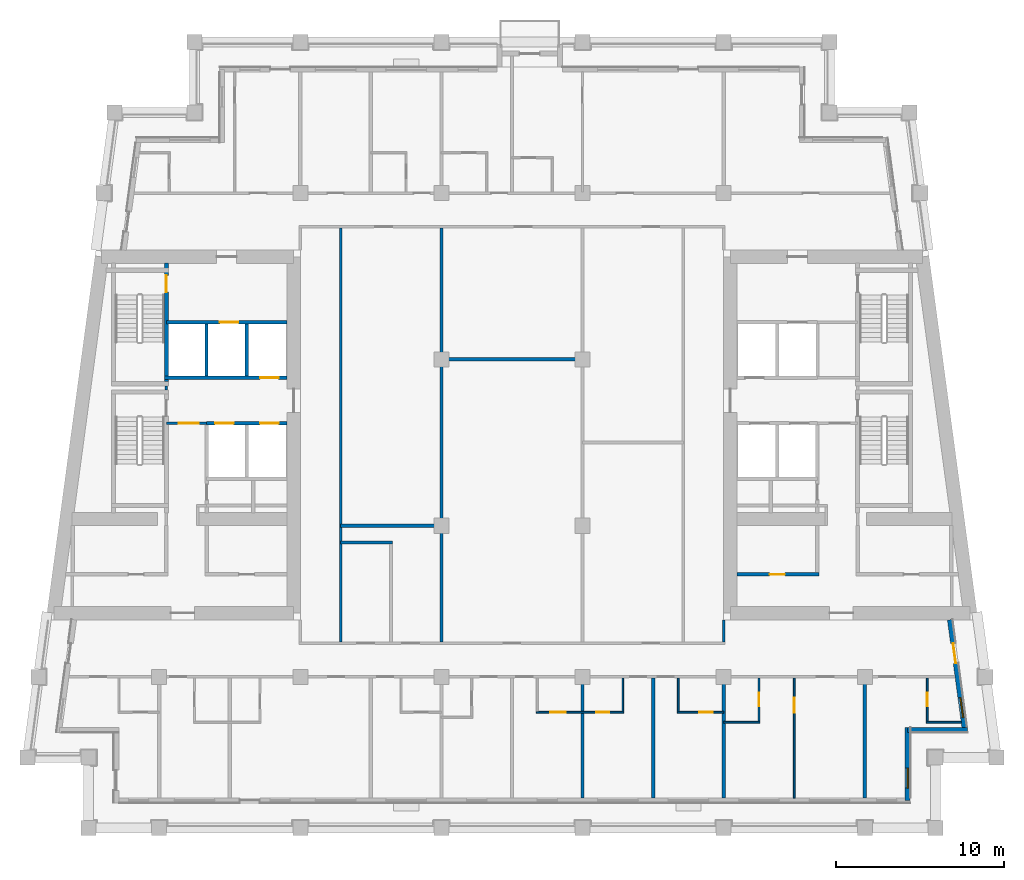
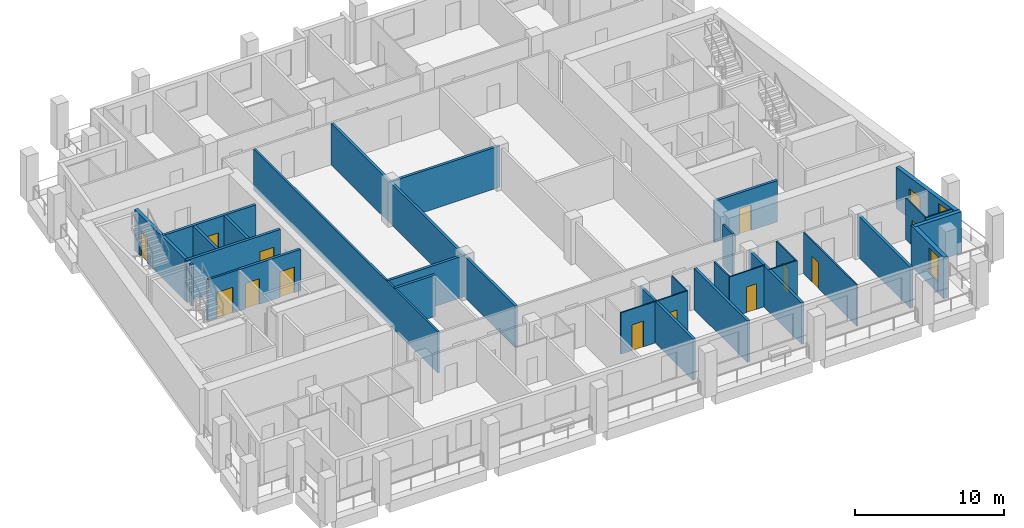
# One storey, part 4 of 12: 31 walls, 14 doors, 2 windows, 16 openings.
"""IFC4 building model written with IfcOpenShell, lengths in metres."""

from ifc_helpers import new_model, si_unit, direction, frame, frame_2d, origin, place, context, subcontext, project, spatial, rectangle, extrude, material, layer, layer_set, type_object, element, fill, save


model = new_model("IFC4")

# Units and contexts
model_context = context("Model", 3, precision=1e-05, world=origin(), true_north=direction((0.0, 1.0)))
body_context = subcontext(model_context, "Body", "Model", "MODEL_VIEW")
ifc_project = project(units=[si_unit("LENGTHUNIT", "METRE"), si_unit("AREAUNIT", "SQUARE_METRE"), si_unit("VOLUMEUNIT", "CUBIC_METRE"), si_unit("PLANEANGLEUNIT", "RADIAN"), si_unit("MASSUNIT", "GRAM", prefix="KILO")], contexts=[model_context])

# Site, building, storey
site_placement = place(None, origin())
site = spatial("IfcSite", under=ifc_project, at=site_placement, CompositionType="ELEMENT")
building_placement = place(site_placement, origin())
building = spatial("IfcBuilding", under=site, at=building_placement, Name="Candeia Pilgrim Tower and Theatre", CompositionType="ELEMENT")
storey_placement = place(building_placement, frame((0.0, 0.0, 213.300048828125)))
storey = spatial("IfcBuildingStorey", under=building, at=storey_placement, Name="L51", CompositionType="ELEMENT", Elevation=213.300048828125)

# Wall, opening, window
ifc_material_1 = material(Name="Ceramic block masonry", Category="masonry")
ifc_layer_1 = layer(ifc_material_1, 0.300048828125)
ifc_layer_set_1 = layer_set([ifc_layer_1], Name="EW1 glazing-line wall 300")
wall_type_1 = type_object("IfcWallType", Name="EW1 glazing-line wall 300", PredefinedType="SOLIDWALL", material=ifc_layer_set_1)
wall_1_placement = place(storey_placement, frame((136.949951171875, 99.64990234375, 0.0), z_axis=(0.0, 0.0, 1.0), x_axis=(0.0, 1.0, 0.0)))
wall_1 = element("IfcWall", 1, at=wall_1_placement, inside=storey, type_object=wall_type_1, Name="External wall L51-1.0", PredefinedType="SOLIDWALL", context=body_context, shape_type="SweptSolid", body=[
    extrude(rectangle(XDim=4.35009765625, YDim=0.300048828125, at=frame_2d((2.175048828125, 0.0))), origin(), (0.0, 0.0, 1.0), 3.3798828125),
])
opening_1_placement = place(wall_1_placement, frame((0.72509765625, 0.0, 0.89990234375)))
opening_1 = element("IfcOpeningElement", 2, at=opening_1_placement, cuts=wall_1, Name="Opening W-B", PredefinedType="OPENING", context=body_context, shape_type="SweptSolid", body=[
    extrude(rectangle(XDim=1.199951171875, YDim=2.10009765625, at=frame_2d((0.60009765625, 1.050048828125))), frame((0.0, 0.16015625, 0.0), z_axis=(0.0, -1.0, 0.0), x_axis=(1.0, 0.0, 0.0)), (0.0, 0.0, 1.0), 0.320068359375),
])
ifc_material_2 = material(Name="Aluminium framed double glazing", Category="aluminium")
window_type = type_object("IfcWindowType", Name="W-B window 1200x2100", PartitioningType="SINGLE_PANEL", PredefinedType="WINDOW", material=ifc_material_2)
window_1_placement = place(opening_1_placement, origin())
window_1 = element("IfcWindow", 3, at=window_1_placement, inside=storey, type_object=window_type, Name="Window W-B L51", OverallHeight=2.10009765625, OverallWidth=1.199951171875, PartitioningType="SINGLE_PANEL", PredefinedType="WINDOW", context=body_context, shape_type="SweptSolid", body=[
    extrude(rectangle(XDim=1.199951171875, YDim=2.10009765625, at=frame_2d((0.60009765625, 1.050048828125))), frame((0.0, 0.030029296875, 0.0), z_axis=(0.0, -1.0, 0.0), x_axis=(1.0, 0.0, 0.0)), (0.0, 0.0, 1.0), 0.06005859375),
])
fill(opening_1, window_1)

# Wall
wall_2_placement = place(storey_placement, frame((136.949951171875, 103.85009765625, 0.0), z_axis=(0.0, 0.0, 1.0), x_axis=(1.0, 0.0, 0.0)))
element("IfcWall", 4, at=wall_2_placement, inside=storey, type_object=wall_type_1, Name="External wall L51-2.0", PredefinedType="SOLIDWALL", context=body_context, shape_type="SweptSolid", body=[
    extrude(rectangle(XDim=3.569091796875, YDim=0.300048828125, at=frame_2d((1.78466796875, 0.0))), origin(), (0.0, 0.0, 1.0), 3.3798828125),
])

# Wall, openings, door, window
wall_3_placement = place(storey_placement, frame((140.34765625, 103.85009765625, 0.0), z_axis=(0.0, 0.0, 1.0), x_axis=(-0.133431549479, 0.991058031401, 0.0)))
wall_3 = element("IfcWall", 5, at=wall_3_placement, inside=storey, type_object=wall_type_1, Name="External wall L51-3.0", PredefinedType="SOLIDWALL", context=body_context, shape_type="SweptSolid", body=[
    extrude(rectangle(XDim=6.60888671875, YDim=0.300048828125, at=frame_2d((3.304443359375, 0.0))), origin(), (0.0, 0.0, 1.0), 3.3798828125),
])
opening_2_placement = place(wall_3_placement, frame((0.736572265625, 0.0, 0.89990234375)))
opening_2 = element("IfcOpeningElement", 6, at=opening_2_placement, cuts=wall_3, Name="Opening W-B", PredefinedType="OPENING", context=body_context, shape_type="SweptSolid", body=[
    extrude(rectangle(XDim=1.199951171875, YDim=2.10009765625, at=frame_2d((0.60009765625, 1.050048828125))), frame((0.0, 0.16015625, 0.0), z_axis=(0.0, -1.0, 0.0), x_axis=(1.0, 0.0, 0.0)), (0.0, 0.0, 1.0), 0.320068359375),
])
opening_3_placement = place(wall_3_placement, frame((3.990966796875, 0.0, 0.0)))
opening_3 = element("IfcOpeningElement", 7, at=opening_3_placement, cuts=wall_3, Name="Opening L51-ED484", PredefinedType="OPENING", context=body_context, shape_type="SweptSolid", body=[
    extrude(rectangle(XDim=1.199951171875, YDim=2.39990234375, at=frame_2d((0.60009765625, 1.199951171875))), frame((0.0, 0.16015625, 0.0), z_axis=(0.0, -1.0, 0.0), x_axis=(1.0, 0.0, 0.0)), (0.0, 0.0, 1.0), 0.320068359375),
])
ifc_material_3 = material(Name="Aluminium framed glazed door", Category="aluminium")
door_type_1 = type_object("IfcDoorType", Name="Loggia door 1200x2400", OperationType="DOUBLE_DOOR_SINGLE_SWING", PredefinedType="DOOR", material=ifc_material_3)
door_1_placement = place(opening_3_placement, origin())
door_1 = element("IfcDoor", 8, at=door_1_placement, inside=storey, type_object=door_type_1, Name="Loggia door L51-ED484", OperationType="DOUBLE_DOOR_SINGLE_SWING", OverallHeight=2.39990234375, OverallWidth=1.199951171875, PredefinedType="DOOR", context=body_context, shape_type="SweptSolid", body=[
    extrude(rectangle(XDim=1.199951171875, YDim=2.39990234375, at=frame_2d((0.60009765625, 1.199951171875))), frame((0.0, 0.02490234375, 0.0), z_axis=(0.0, -1.0, 0.0), x_axis=(1.0, 0.0, 0.0)), (0.0, 0.0, 1.0), 0.050048828125),
])
fill(opening_3, door_1)
window_2_placement = place(opening_2_placement, origin())
window_2 = element("IfcWindow", 9, at=window_2_placement, inside=storey, type_object=window_type, Name="Window W-B L51", OverallHeight=2.10009765625, OverallWidth=1.199951171875, PartitioningType="SINGLE_PANEL", PredefinedType="WINDOW", context=body_context, shape_type="SweptSolid", body=[
    extrude(rectangle(XDim=1.199951171875, YDim=2.10009765625, at=frame_2d((0.60009765625, 1.050048828125))), frame((0.0, 0.030029296875, 0.0), z_axis=(0.0, -1.0, 0.0), x_axis=(1.0, 0.0, 0.0)), (0.0, 0.0, 1.0), 0.06005859375),
])
fill(opening_2, window_2)

# Walls
ifc_material_4 = material(Name="Gypsum board partition on steel studs", Category="steel")
ifc_layer_2 = layer(ifc_material_4, 0.10009765625)
ifc_layer_set_2 = layer_set([ifc_layer_2], Name="PW-100 room partition")
wall_type_2 = type_object("IfcWallType", Name="PW-100 room partition", PredefinedType="PARTITIONING", material=ifc_layer_set_2)
wall_4_placement = place(storey_placement, frame((126.0, 104.300048828125, 0.0), z_axis=(0.0, 0.0, 1.0), x_axis=(1.0, 0.0, 0.0)))
element("IfcWall", 10, at=wall_4_placement, inside=storey, type_object=wall_type_2, Name="Room partition L51-002", PredefinedType="PARTITIONING", context=body_context, shape_type="SweptSolid", body=[
    extrude(rectangle(XDim=2.14990234375, YDim=0.10009765625, at=frame_2d((1.074951171875, 0.0))), origin(), (0.0, 0.0, 1.0), 3.3798828125),
])
wall_5_placement = place(storey_placement, frame((138.070068359375, 104.300048828125, 0.0), z_axis=(0.0, 0.0, 1.0), x_axis=(1.0, 0.0, 0.0)))
element("IfcWall", 11, at=wall_5_placement, inside=storey, type_object=wall_type_2, Name="Room partition L51-003", PredefinedType="PARTITIONING", context=body_context, shape_type="SweptSolid", body=[
    extrude(rectangle(XDim=2.07568359375, YDim=0.10009765625, at=frame_2d((1.037841796875, 0.0))), origin(), (0.0, 0.0, 1.0), 3.3798828125),
])

# Wall, openings, doors
wall_6_placement = place(storey_placement, frame((114.85009765625, 104.89990234375, 0.0), z_axis=(0.0, 0.0, 1.0), x_axis=(1.0, 0.0, 0.0)))
wall_6 = element("IfcWall", 12, at=wall_6_placement, inside=storey, type_object=wall_type_2, Name="Room partition L51-007", PredefinedType="PARTITIONING", context=body_context, shape_type="SweptSolid", body=[
    extrude(rectangle(XDim=5.199951171875, YDim=0.10009765625, at=frame_2d((2.60009765625, 0.0))), origin(), (0.0, 0.0, 1.0), 3.3798828125),
])
opening_4_placement = place(wall_6_placement, frame((0.840087890625, 0.0, 0.0)))
opening_4 = element("IfcOpeningElement", 13, at=opening_4_placement, cuts=wall_6, Name="Opening L51-D024", PredefinedType="OPENING", context=body_context, shape_type="SweptSolid", body=[
    extrude(rectangle(XDim=0.89990234375, YDim=2.10009765625, at=frame_2d((0.449951171875, 1.050048828125))), frame((0.0, 0.06005859375, 0.0), z_axis=(0.0, -1.0, 0.0), x_axis=(1.0, 0.0, 0.0)), (0.0, 0.0, 1.0), 0.1201171875),
])
opening_5_placement = place(wall_6_placement, frame((3.550048828125, 0.0, 0.0)))
opening_5 = element("IfcOpeningElement", 14, at=opening_5_placement, cuts=wall_6, Name="Opening L51-D026", PredefinedType="OPENING", context=body_context, shape_type="SweptSolid", body=[
    extrude(rectangle(XDim=0.800048828125, YDim=2.10009765625, at=frame_2d((0.39990234375, 1.050048828125))), frame((0.0, 0.06005859375, 0.0), z_axis=(0.0, -1.0, 0.0), x_axis=(1.0, 0.0, 0.0)), (0.0, 0.0, 1.0), 0.1201171875),
])
ifc_material_5 = material(Name="Timber door leaf", Category="wood")
door_type_2 = type_object("IfcDoorType", Name="D-800", OperationType="NOTDEFINED", PredefinedType="DOOR", material=ifc_material_5)
door_2_placement = place(opening_5_placement, origin())
door_2 = element("IfcDoor", 15, at=door_2_placement, inside=storey, type_object=door_type_2, Name="Door L51-D026", OperationType="SINGLE_SWING_LEFT", OverallHeight=2.10009765625, OverallWidth=0.800048828125, PredefinedType="DOOR", context=body_context, shape_type="SweptSolid", body=[
    extrude(rectangle(XDim=0.800048828125, YDim=2.10009765625, at=frame_2d((0.39990234375, 1.050048828125))), frame((0.0, 0.02490234375, 0.0), z_axis=(0.0, -1.0, 0.0), x_axis=(1.0, 0.0, 0.0)), (0.0, 0.0, 1.0), 0.050048828125),
])
fill(opening_5, door_2)
door_type_3 = type_object("IfcDoorType", Name="D-900", OperationType="NOTDEFINED", PredefinedType="DOOR", material=ifc_material_5)
door_3_placement = place(opening_4_placement, origin())
door_3 = element("IfcDoor", 16, at=door_3_placement, inside=storey, type_object=door_type_3, Name="Door L51-D024", OperationType="SINGLE_SWING_LEFT", OverallHeight=2.10009765625, OverallWidth=0.89990234375, PredefinedType="DOOR", context=body_context, shape_type="SweptSolid", body=[
    extrude(rectangle(XDim=0.89990234375, YDim=2.10009765625, at=frame_2d((0.449951171875, 1.050048828125))), frame((0.0, 0.02490234375, 0.0), z_axis=(0.0, -1.0, 0.0), x_axis=(1.0, 0.0, 0.0)), (0.0, 0.0, 1.0), 0.050048828125),
])
fill(opening_4, door_3)

# Wall, opening, door
wall_7_placement = place(storey_placement, frame((123.25, 104.89990234375, 0.0), z_axis=(0.0, 0.0, 1.0), x_axis=(1.0, 0.0, 0.0)))
wall_7 = element("IfcWall", 17, at=wall_7_placement, inside=storey, type_object=wall_type_2, Name="Room partition L51-008", PredefinedType="PARTITIONING", context=body_context, shape_type="SweptSolid", body=[
    extrude(rectangle(XDim=2.75, YDim=0.10009765625, at=frame_2d((1.375, 0.0))), origin(), (0.0, 0.0, 1.0), 3.3798828125),
])
opening_6_placement = place(wall_7_placement, frame((1.300048828125, 0.0, 0.0)))
opening_6 = element("IfcOpeningElement", 18, at=opening_6_placement, cuts=wall_7, Name="Opening L51-D028", PredefinedType="OPENING", context=body_context, shape_type="SweptSolid", body=[
    extrude(rectangle(XDim=0.800048828125, YDim=2.10009765625, at=frame_2d((0.39990234375, 1.050048828125))), frame((0.0, 0.06005859375, 0.0), z_axis=(0.0, -1.0, 0.0), x_axis=(1.0, 0.0, 0.0)), (0.0, 0.0, 1.0), 0.1201171875),
])
door_4_placement = place(opening_6_placement, origin())
door_4 = element("IfcDoor", 19, at=door_4_placement, inside=storey, type_object=door_type_2, Name="Door L51-D028", OperationType="SINGLE_SWING_LEFT", OverallHeight=2.10009765625, OverallWidth=0.800048828125, PredefinedType="DOOR", context=body_context, shape_type="SweptSolid", body=[
    extrude(rectangle(XDim=0.800048828125, YDim=2.10009765625, at=frame_2d((0.39990234375, 1.050048828125))), frame((0.0, 0.02490234375, 0.0), z_axis=(0.0, -1.0, 0.0), x_axis=(1.0, 0.0, 0.0)), (0.0, 0.0, 1.0), 0.050048828125),
])
fill(opening_6, door_4)

# Walls
for number, where, z_axis, x_axis, name in (
    (20, (120.0, 104.949951171875, 0.0), (0.0, 0.0, 1.0), (0.0, 1.0, 0.0), "Room partition L51-093"),
    (21, (123.300048828125, 104.949951171875, 0.0), (0.0, 0.0, 1.0), (0.0, 1.0, 0.0), "Room partition L51-095"),
):
    element("IfcWall", number, at=place(storey_placement, frame(where, z_axis=z_axis, x_axis=x_axis)), inside=storey, type_object=wall_type_2, Name=name, PredefinedType="PARTITIONING", context=body_context, shape_type="SweptSolid", body=[
        extrude(rectangle(XDim=1.97509765625, YDim=0.10009765625, at=frame_2d((0.987548828125, 0.0))), origin(), (0.0, 0.0, 1.0), 3.3798828125),
    ])

# Wall, opening, door
wall_8_placement = place(storey_placement, frame((128.10009765625, 104.35009765625, 0.0), z_axis=(0.0, 0.0, 1.0), x_axis=(0.0, 1.0, 0.0)))
wall_8 = element("IfcWall", 22, at=wall_8_placement, inside=storey, type_object=wall_type_2, Name="Room partition L51-101", PredefinedType="PARTITIONING", context=body_context, shape_type="SweptSolid", body=[
    extrude(rectangle(XDim=2.574951171875, YDim=0.10009765625, at=frame_2d((1.28759765625, 0.0))), origin(), (0.0, 0.0, 1.0), 3.3798828125),
])
opening_7_placement = place(wall_8_placement, frame((0.89990234375, 0.0, 0.0)))
opening_7 = element("IfcOpeningElement", 23, at=opening_7_placement, cuts=wall_8, Name="Opening L51-D031", PredefinedType="OPENING", context=body_context, shape_type="SweptSolid", body=[
    extrude(rectangle(XDim=0.800048828125, YDim=2.10009765625, at=frame_2d((0.39990234375, 1.050048828125))), frame((0.0, 0.06005859375, 0.0), z_axis=(0.0, -1.0, 0.0), x_axis=(1.0, 0.0, 0.0)), (0.0, 0.0, 1.0), 0.1201171875),
])
door_5_placement = place(opening_7_placement, origin())
door_5 = element("IfcDoor", 24, at=door_5_placement, inside=storey, type_object=door_type_2, Name="Door L51-D031", OperationType="SINGLE_SWING_RIGHT", OverallHeight=2.10009765625, OverallWidth=0.800048828125, PredefinedType="DOOR", context=body_context, shape_type="SweptSolid", body=[
    extrude(rectangle(XDim=0.800048828125, YDim=2.10009765625, at=frame_2d((0.39990234375, 1.050048828125))), frame((0.0, 0.02490234375, 0.0), z_axis=(0.0, -1.0, 0.0), x_axis=(1.0, 0.0, 0.0)), (0.0, 0.0, 1.0), 0.050048828125),
])
fill(opening_7, door_5)

wall_9_placement = place(storey_placement, frame((130.199951171875, 99.7900390625, 0.0), z_axis=(0.0, 0.0, 1.0), x_axis=(0.0, 1.0, 0.0)))
wall_9 = element("IfcWall", 25, at=wall_9_placement, inside=storey, type_object=wall_type_2, Name="Room partition L51-105", PredefinedType="PARTITIONING", context=body_context, shape_type="SweptSolid", body=[
    extrude(rectangle(XDim=7.135009765625, YDim=0.10009765625, at=frame_2d((3.5673828125, 0.0))), origin(), (0.0, 0.0, 1.0), 3.3798828125),
])
opening_8_placement = place(wall_9_placement, frame((5.074951171875, 0.0, 0.0)))
opening_8 = element("IfcOpeningElement", 26, at=opening_8_placement, cuts=wall_9, Name="Opening L51-D030", PredefinedType="OPENING", context=body_context, shape_type="SweptSolid", body=[
    extrude(rectangle(XDim=0.89990234375, YDim=2.10009765625, at=frame_2d((0.449951171875, 1.050048828125))), frame((0.0, 0.06005859375, 0.0), z_axis=(0.0, -1.0, 0.0), x_axis=(1.0, 0.0, 0.0)), (0.0, 0.0, 1.0), 0.1201171875),
])
door_6_placement = place(opening_8_placement, origin())
door_6 = element("IfcDoor", 27, at=door_6_placement, inside=storey, type_object=door_type_3, Name="Door L51-D030", OperationType="SINGLE_SWING_LEFT", OverallHeight=2.10009765625, OverallWidth=0.89990234375, PredefinedType="DOOR", context=body_context, shape_type="SweptSolid", body=[
    extrude(rectangle(XDim=0.89990234375, YDim=2.10009765625, at=frame_2d((0.449951171875, 1.050048828125))), frame((0.0, 0.02490234375, 0.0), z_axis=(0.0, -1.0, 0.0), x_axis=(1.0, 0.0, 0.0)), (0.0, 0.0, 1.0), 0.050048828125),
])
fill(opening_8, door_6)

wall_10_placement = place(storey_placement, frame((138.1201171875, 104.35009765625, 0.0), z_axis=(0.0, 0.0, 1.0), x_axis=(0.0, 1.0, 0.0)))
wall_10 = element("IfcWall", 28, at=wall_10_placement, inside=storey, type_object=wall_type_2, Name="Room partition L51-118", PredefinedType="PARTITIONING", context=body_context, shape_type="SweptSolid", body=[
    extrude(rectangle(XDim=2.574951171875, YDim=0.10009765625, at=frame_2d((1.28759765625, 0.0))), origin(), (0.0, 0.0, 1.0), 3.3798828125),
])
opening_9_placement = place(wall_10_placement, frame((0.89990234375, 0.0, 0.0)))
opening_9 = element("IfcOpeningElement", 29, at=opening_9_placement, cuts=wall_10, Name="Opening L51-D033", PredefinedType="OPENING", context=body_context, shape_type="SweptSolid", body=[
    extrude(rectangle(XDim=0.800048828125, YDim=2.10009765625, at=frame_2d((0.39990234375, 1.050048828125))), frame((0.0, 0.06005859375, 0.0), z_axis=(0.0, -1.0, 0.0), x_axis=(1.0, 0.0, 0.0)), (0.0, 0.0, 1.0), 0.1201171875),
])
door_7_placement = place(opening_9_placement, origin())
door_7 = element("IfcDoor", 30, at=door_7_placement, inside=storey, type_object=door_type_2, Name="Door L51-D033", OperationType="SINGLE_SWING_RIGHT", OverallHeight=2.10009765625, OverallWidth=0.800048828125, PredefinedType="DOOR", context=body_context, shape_type="SweptSolid", body=[
    extrude(rectangle(XDim=0.800048828125, YDim=2.10009765625, at=frame_2d((0.39990234375, 1.050048828125))), frame((0.0, 0.02490234375, 0.0), z_axis=(0.0, -1.0, 0.0), x_axis=(1.0, 0.0, 0.0)), (0.0, 0.0, 1.0), 0.050048828125),
])
fill(opening_9, door_7)

ifc_layer_3 = layer(ifc_material_4, 0.14990234375)
ifc_layer_set_3 = layer_set([ifc_layer_3], Name="PW-150 lobby wall")
wall_type_3 = type_object("IfcWallType", Name="PW-150 lobby wall", PredefinedType="PARTITIONING", material=ifc_layer_set_3)
wall_11_placement = place(storey_placement, frame((92.826904296875, 122.10009765625, 0.0), z_axis=(0.0, 0.0, 1.0), x_axis=(1.0, 0.0, 0.0)))
wall_11 = element("IfcWall", 31, at=wall_11_placement, inside=storey, type_object=wall_type_3, Name="Lobby wall L51-028", PredefinedType="PARTITIONING", context=body_context, shape_type="SweptSolid", body=[
    extrude(rectangle(XDim=2.400146484375, YDim=0.14990234375, at=frame_2d((1.2001953125, 0.0))), origin(), (0.0, 0.0, 1.0), 3.3798828125),
])
opening_10_placement = place(wall_11_placement, frame((0.72509765625, 0.0, 0.0)))
opening_10 = element("IfcOpeningElement", 32, at=opening_10_placement, cuts=wall_11, Name="Opening L51-D001", PredefinedType="OPENING", context=body_context, shape_type="SweptSolid", body=[
    extrude(rectangle(XDim=1.199951171875, YDim=2.10009765625, at=frame_2d((0.60009765625, 1.050048828125))), frame((0.0, 0.0849609375, 0.0), z_axis=(0.0, -1.0, 0.0), x_axis=(1.0, 0.0, 0.0)), (0.0, 0.0, 1.0), 0.169921875),
])
ifc_material_6 = material(Name="Steel fire door set", Category="steel")
door_type_4 = type_object("IfcDoorType", Name="D-1200-FD60", OperationType="NOTDEFINED", PredefinedType="DOOR", material=ifc_material_6)
door_8_placement = place(opening_10_placement, origin())
door_8 = element("IfcDoor", 33, at=door_8_placement, inside=storey, type_object=door_type_4, Name="Door L51-D001", OperationType="SINGLE_SWING_RIGHT", OverallHeight=2.10009765625, OverallWidth=1.199951171875, PredefinedType="DOOR", context=body_context, shape_type="SweptSolid", body=[
    extrude(rectangle(XDim=1.199951171875, YDim=2.10009765625, at=frame_2d((0.60009765625, 1.050048828125))), frame((0.0, 0.02490234375, 0.0), z_axis=(0.0, -1.0, 0.0), x_axis=(1.0, 0.0, 0.0)), (0.0, 0.0, 1.0), 0.050048828125),
])
fill(opening_10, door_8)

# Walls
wall_12_placement = place(storey_placement, frame((92.826904296875, 124.074951171875, 0.0), z_axis=(0.0, 0.0, 1.0), x_axis=(0.0, 1.0, 0.0)))
element("IfcWall", 34, at=wall_12_placement, inside=storey, type_object=wall_type_3, Name="Lobby wall L51-057", PredefinedType="PARTITIONING", context=body_context, shape_type="SweptSolid", body=[
    extrude(rectangle(XDim=0.25, YDim=0.14990234375, at=frame_2d((0.125, 0.0))), origin(), (0.0, 0.0, 1.0), 3.3798828125),
])
ifc_layer_4 = layer(ifc_material_4, 0.14990234375)
ifc_layer_set_4 = layer_set([ifc_layer_4], Name="PW-150 unit wall")
wall_type_4 = type_object("IfcWallType", Name="PW-150 unit wall", PredefinedType="PARTITIONING", material=ifc_layer_set_4)
wall_13_placement = place(storey_placement, frame((103.199951171875, 109.074951171875, 0.0), z_axis=(0.0, 0.0, 1.0), x_axis=(0.0, 1.0, 0.0)))
element("IfcWall", 35, at=wall_13_placement, inside=storey, type_object=wall_type_4, Name="Unit wall L51-075", PredefinedType="PARTITIONING", context=body_context, shape_type="SweptSolid", body=[
    extrude(rectangle(XDim=24.650146484375, YDim=0.14990234375, at=frame_2d((12.3251953125, 0.0))), origin(), (0.0, 0.0, 1.0), 3.3798828125),
])
wall_14_placement = place(storey_placement, frame((126.0, 109.074951171875, 0.0), z_axis=(0.0, 0.0, 1.0), x_axis=(0.0, 1.0, 0.0)))
element("IfcWall", 36, at=wall_14_placement, inside=storey, type_object=wall_type_4, Name="Unit wall L51-099", PredefinedType="PARTITIONING", context=body_context, shape_type="SweptSolid", body=[
    extrude(rectangle(XDim=1.324951171875, YDim=0.14990234375, at=frame_2d((0.66259765625, 0.0))), origin(), (0.0, 0.0, 1.0), 3.3798828125),
])
ifc_layer_5 = layer(ifc_material_4, 0.199951171875)
ifc_layer_set_5 = layer_set([ifc_layer_5], Name="PW-200 party wall")
wall_type_5 = type_object("IfcWallType", Name="PW-200 party wall", PredefinedType="PARTITIONING", material=ifc_layer_set_5)
wall_15_placement = place(storey_placement, frame((103.199951171875, 115.0, 0.0), z_axis=(0.0, 0.0, 1.0), x_axis=(1.0, 0.0, 0.0)))
element("IfcWall", 37, at=wall_15_placement, inside=storey, type_object=wall_type_5, Name="Party wall L51-015", PredefinedType="PARTITIONING", context=body_context, shape_type="SweptSolid", body=[
    extrude(rectangle(XDim=3.10009765625, YDim=0.199951171875, at=frame_2d((1.550048828125, 0.0))), origin(), (0.0, 0.0, 1.0), 3.3798828125),
])
wall_16_placement = place(storey_placement, frame((103.199951171875, 116.0, 0.0), z_axis=(0.0, 0.0, 1.0), x_axis=(1.0, 0.0, 0.0)))
element("IfcWall", 38, at=wall_16_placement, inside=storey, type_object=wall_type_5, Name="Party wall L51-016", PredefinedType="PARTITIONING", context=body_context, shape_type="SweptSolid", body=[
    extrude(rectangle(XDim=6.0, YDim=0.199951171875, at=frame_2d((3.0, 0.0))), origin(), (0.0, 0.0, 1.0), 3.3798828125),
])
wall_17_placement = place(storey_placement, frame((109.199951171875, 125.89990234375, 0.0), z_axis=(0.0, 0.0, 1.0), x_axis=(1.0, 0.0, 0.0)))
element("IfcWall", 39, at=wall_17_placement, inside=storey, type_object=wall_type_5, Name="Party wall L51-037", PredefinedType="PARTITIONING", context=body_context, shape_type="SweptSolid", body=[
    extrude(rectangle(XDim=8.400146484375, YDim=0.199951171875, at=frame_2d((4.2001953125, 0.0))), origin(), (0.0, 0.0, 1.0), 3.3798828125),
])
wall_18_placement = place(storey_placement, frame((109.199951171875, 109.074951171875, 0.0), z_axis=(0.0, 0.0, 1.0), x_axis=(0.0, 1.0, 0.0)))
element("IfcWall", 40, at=wall_18_placement, inside=storey, type_object=wall_type_5, Name="Party wall L51-082", PredefinedType="PARTITIONING", context=body_context, shape_type="SweptSolid", body=[
    extrude(rectangle(XDim=24.650146484375, YDim=0.199951171875, at=frame_2d((12.3251953125, 0.0))), origin(), (0.0, 0.0, 1.0), 3.3798828125),
])
for number, where, z_axis, x_axis, name in (
    (41, (117.60009765625, 99.7900390625, 0.0), (0.0, 0.0, 1.0), (0.0, 1.0, 0.0), "Party wall L51-091"),
    (42, (121.800048828125, 99.7900390625, 0.0), (0.0, 0.0, 1.0), (0.0, 1.0, 0.0), "Party wall L51-094"),
    (43, (126.0, 99.7900390625, 0.0), (0.0, 0.0, 1.0), (0.0, 1.0, 0.0), "Party wall L51-097"),
    (44, (134.39990234375, 99.7900390625, 0.0), (0.0, 0.0, 1.0), (0.0, 1.0, 0.0), "Party wall L51-115"),
):
    element("IfcWall", number, at=place(storey_placement, frame(where, z_axis=z_axis, x_axis=x_axis)), inside=storey, type_object=wall_type_5, Name=name, PredefinedType="PARTITIONING", context=body_context, shape_type="SweptSolid", body=[
        extrude(rectangle(XDim=7.135009765625, YDim=0.199951171875, at=frame_2d((3.5673828125, 0.0))), origin(), (0.0, 0.0, 1.0), 3.3798828125),
    ])

# Wall, opening, door
ifc_material_7 = material(Name="Concrete C40/50", Category="concrete")
ifc_layer_6 = layer(ifc_material_7, 0.199951171875)
ifc_layer_set_6 = layer_set([ifc_layer_6], Name="SW-200 shaft wall")
wall_type_6 = type_object("IfcWallType", Name="SW-200 shaft wall", PredefinedType="PARTITIONING", material=ifc_layer_set_6)
wall_19_placement = place(storey_placement, frame((126.800048828125, 113.10009765625, 0.0), z_axis=(0.0, 0.0, 1.0), x_axis=(1.0, 0.0, 0.0)))
wall_19 = element("IfcWall", 45, at=wall_19_placement, inside=storey, type_object=wall_type_6, Name="Shaft wall L51-013", PredefinedType="PARTITIONING", context=body_context, shape_type="SweptSolid", body=[
    extrude(rectangle(XDim=4.873046875, YDim=0.199951171875, at=frame_2d((2.4365234375, 0.0))), origin(), (0.0, 0.0, 1.0), 3.3798828125),
])
opening_11_placement = place(wall_19_placement, frame((1.93603515625, 0.0, 0.0)))
opening_11 = element("IfcOpeningElement", 46, at=opening_11_placement, cuts=wall_19, Name="Opening L51-D012", PredefinedType="OPENING", context=body_context, shape_type="SweptSolid", body=[
    extrude(rectangle(XDim=0.89990234375, YDim=2.10009765625, at=frame_2d((0.449951171875, 1.050048828125))), frame((0.0, 0.10986328125, 0.0), z_axis=(0.0, -1.0, 0.0), x_axis=(1.0, 0.0, 0.0)), (0.0, 0.0, 1.0), 0.219970703125),
])
door_type_5 = type_object("IfcDoorType", Name="D-900-FD60", OperationType="NOTDEFINED", PredefinedType="DOOR", material=ifc_material_6)
door_9_placement = place(opening_11_placement, origin())
door_9 = element("IfcDoor", 47, at=door_9_placement, inside=storey, type_object=door_type_5, Name="Door L51-D012", OperationType="SINGLE_SWING_LEFT", OverallHeight=2.10009765625, OverallWidth=0.89990234375, PredefinedType="DOOR", context=body_context, shape_type="SweptSolid", body=[
    extrude(rectangle(XDim=0.89990234375, YDim=2.10009765625, at=frame_2d((0.449951171875, 1.050048828125))), frame((0.0, 0.02490234375, 0.0), z_axis=(0.0, -1.0, 0.0), x_axis=(1.0, 0.0, 0.0)), (0.0, 0.0, 1.0), 0.050048828125),
])
fill(opening_11, door_9)

# Wall, openings, doors
wall_20_placement = place(storey_placement, frame((95.22705078125, 122.10009765625, 0.0), z_axis=(0.0, 0.0, 1.0), x_axis=(1.0, 0.0, 0.0)))
wall_20 = element("IfcWall", 48, at=wall_20_placement, inside=storey, type_object=wall_type_6, Name="Shaft wall L51-026", PredefinedType="PARTITIONING", context=body_context, shape_type="SweptSolid", body=[
    extrude(rectangle(XDim=4.77294921875, YDim=0.199951171875, at=frame_2d((2.386474609375, 0.0))), origin(), (0.0, 0.0, 1.0), 3.3798828125),
])
opening_12_placement = place(wall_20_placement, frame((0.4970703125, 0.0, 0.0)))
opening_12 = element("IfcOpeningElement", 49, at=opening_12_placement, cuts=wall_20, Name="Opening L51-LD01", PredefinedType="OPENING", context=body_context, shape_type="SweptSolid", body=[
    extrude(rectangle(XDim=1.10009765625, YDim=2.10009765625, at=frame_2d((0.550048828125, 1.050048828125))), frame((0.0, 0.10986328125, 0.0), z_axis=(0.0, -1.0, 0.0), x_axis=(1.0, 0.0, 0.0)), (0.0, 0.0, 1.0), 0.219970703125),
])
opening_13_placement = place(wall_20_placement, frame((3.176025390625, 0.0, 0.0)))
opening_13 = element("IfcOpeningElement", 50, at=opening_13_placement, cuts=wall_20, Name="Opening L51-LD02", PredefinedType="OPENING", context=body_context, shape_type="SweptSolid", body=[
    extrude(rectangle(XDim=1.10009765625, YDim=2.10009765625, at=frame_2d((0.550048828125, 1.050048828125))), frame((0.0, 0.10986328125, 0.0), z_axis=(0.0, -1.0, 0.0), x_axis=(1.0, 0.0, 0.0)), (0.0, 0.0, 1.0), 0.219970703125),
])
ifc_material_8 = material(Name="Glazed aluminium landing door", Category="aluminium")
door_type_6 = type_object("IfcDoorType", Name="LD-1100-EI120", OperationType="SLIDING_TO_LEFT", PredefinedType="DOOR", material=ifc_material_8)
door_10_placement = place(opening_12_placement, origin())
door_10 = element("IfcDoor", 51, at=door_10_placement, inside=storey, type_object=door_type_6, Name="Landing door 01 L51", OperationType="SLIDING_TO_LEFT", OverallHeight=2.10009765625, OverallWidth=1.10009765625, PredefinedType="DOOR", context=body_context, shape_type="SweptSolid", body=[
    extrude(rectangle(XDim=1.10009765625, YDim=2.10009765625, at=frame_2d((0.550048828125, 1.050048828125))), frame((0.0, 0.02490234375, 0.0), z_axis=(0.0, -1.0, 0.0), x_axis=(1.0, 0.0, 0.0)), (0.0, 0.0, 1.0), 0.050048828125),
])
fill(opening_12, door_10)
door_11_placement = place(opening_13_placement, origin())
door_11 = element("IfcDoor", 52, at=door_11_placement, inside=storey, type_object=door_type_6, Name="Landing door 02 L51", OperationType="SLIDING_TO_LEFT", OverallHeight=2.10009765625, OverallWidth=1.10009765625, PredefinedType="DOOR", context=body_context, shape_type="SweptSolid", body=[
    extrude(rectangle(XDim=1.10009765625, YDim=2.10009765625, at=frame_2d((0.550048828125, 1.050048828125))), frame((0.0, 0.02490234375, 0.0), z_axis=(0.0, -1.0, 0.0), x_axis=(1.0, 0.0, 0.0)), (0.0, 0.0, 1.0), 0.050048828125),
])
fill(opening_13, door_11)

# Wall, opening, door
wall_21_placement = place(storey_placement, frame((92.701904296875, 124.800048828125, 0.0), z_axis=(0.0, 0.0, 1.0), x_axis=(1.0, 0.0, 0.0)))
wall_21 = element("IfcWall", 53, at=wall_21_placement, inside=storey, type_object=wall_type_6, Name="Shaft wall L51-034", PredefinedType="PARTITIONING", context=body_context, shape_type="SweptSolid", body=[
    extrude(rectangle(XDim=7.298095703125, YDim=0.199951171875, at=frame_2d((3.64892578125, 0.0))), origin(), (0.0, 0.0, 1.0), 3.3798828125),
])
opening_14_placement = place(wall_21_placement, frame((5.699951171875, 0.0, 0.0)))
opening_14 = element("IfcOpeningElement", 54, at=opening_14_placement, cuts=wall_21, Name="Opening L51-LD04", PredefinedType="OPENING", context=body_context, shape_type="SweptSolid", body=[
    extrude(rectangle(XDim=1.10009765625, YDim=2.10009765625, at=frame_2d((0.550048828125, 1.050048828125))), frame((0.0, 0.10986328125, 0.0), z_axis=(0.0, -1.0, 0.0), x_axis=(1.0, 0.0, 0.0)), (0.0, 0.0, 1.0), 0.219970703125),
])
door_12_placement = place(opening_14_placement, origin())
door_12 = element("IfcDoor", 55, at=door_12_placement, inside=storey, type_object=door_type_6, Name="Landing door 04 L51", OperationType="SLIDING_TO_LEFT", OverallHeight=2.10009765625, OverallWidth=1.10009765625, PredefinedType="DOOR", context=body_context, shape_type="SweptSolid", body=[
    extrude(rectangle(XDim=1.10009765625, YDim=2.10009765625, at=frame_2d((0.550048828125, 1.050048828125))), frame((0.0, 0.02490234375, 0.0), z_axis=(0.0, -1.0, 0.0), x_axis=(1.0, 0.0, 0.0)), (0.0, 0.0, 1.0), 0.050048828125),
])
fill(opening_14, door_12)

wall_22_placement = place(storey_placement, frame((92.826904296875, 128.10009765625, 0.0), z_axis=(0.0, 0.0, 1.0), x_axis=(1.0, 0.0, 0.0)))
wall_22 = element("IfcWall", 56, at=wall_22_placement, inside=storey, type_object=wall_type_6, Name="Shaft wall L51-038", PredefinedType="PARTITIONING", context=body_context, shape_type="SweptSolid", body=[
    extrude(rectangle(XDim=7.173095703125, YDim=0.199951171875, at=frame_2d((3.58642578125, 0.0))), origin(), (0.0, 0.0, 1.0), 3.3798828125),
])
opening_15_placement = place(wall_22_placement, frame((3.18408203125, 0.0, 0.0)))
opening_15 = element("IfcOpeningElement", 57, at=opening_15_placement, cuts=wall_22, Name="Opening L51-LD03", PredefinedType="OPENING", context=body_context, shape_type="SweptSolid", body=[
    extrude(rectangle(XDim=1.10009765625, YDim=2.10009765625, at=frame_2d((0.550048828125, 1.050048828125))), frame((0.0, 0.10986328125, 0.0), z_axis=(0.0, -1.0, 0.0), x_axis=(1.0, 0.0, 0.0)), (0.0, 0.0, 1.0), 0.219970703125),
])
door_13_placement = place(opening_15_placement, origin())
door_13 = element("IfcDoor", 58, at=door_13_placement, inside=storey, type_object=door_type_6, Name="Landing door 03 L51", OperationType="SLIDING_TO_LEFT", OverallHeight=2.10009765625, OverallWidth=1.10009765625, PredefinedType="DOOR", context=body_context, shape_type="SweptSolid", body=[
    extrude(rectangle(XDim=1.10009765625, YDim=2.10009765625, at=frame_2d((0.550048828125, 1.050048828125))), frame((0.0, 0.02490234375, 0.0), z_axis=(0.0, -1.0, 0.0), x_axis=(1.0, 0.0, 0.0)), (0.0, 0.0, 1.0), 0.050048828125),
])
fill(opening_15, door_13)

# Walls
for number, where, z_axis, x_axis, name in (
    (59, (95.218017578125, 124.89990234375, 0.0), (0.0, 0.0, 1.0), (0.0, 1.0, 0.0), "Shaft wall L51-063"),
    (60, (97.60888671875, 124.89990234375, 0.0), (0.0, 0.0, 1.0), (0.0, 1.0, 0.0), "Shaft wall L51-068"),
):
    element("IfcWall", number, at=place(storey_placement, frame(where, z_axis=z_axis, x_axis=x_axis)), inside=storey, type_object=wall_type_6, Name=name, PredefinedType="PARTITIONING", context=body_context, shape_type="SweptSolid", body=[
        extrude(rectangle(XDim=3.10009765625, YDim=0.199951171875, at=frame_2d((1.550048828125, 0.0))), origin(), (0.0, 0.0, 1.0), 3.3798828125),
    ])

# Wall, opening, door
ifc_layer_7 = layer(ifc_material_7, 0.25)
ifc_layer_set_7 = layer_set([ifc_layer_7], Name="SW-250 stair wall")
wall_type_7 = type_object("IfcWallType", Name="SW-250 stair wall", PredefinedType="PARTITIONING", material=ifc_layer_set_7)
wall_23_placement = place(storey_placement, frame((92.826904296875, 124.574951171875, 0.0), z_axis=(0.0, 0.0, 1.0), x_axis=(0.0, 1.0, 0.0)))
wall_23 = element("IfcWall", 61, at=wall_23_placement, inside=storey, type_object=wall_type_7, Name="Stair wall L51-059", PredefinedType="PARTITIONING", context=body_context, shape_type="SweptSolid", body=[
    extrude(rectangle(XDim=7.054931640625, YDim=0.25, at=frame_2d((3.52734375, 0.0))), origin(), (0.0, 0.0, 1.0), 3.3798828125),
])
opening_16_placement = place(wall_23_placement, frame((5.324951171875, 0.0, 0.0)))
opening_16 = element("IfcOpeningElement", 62, at=opening_16_placement, cuts=wall_23, Name="Opening L51-D003", PredefinedType="OPENING", context=body_context, shape_type="SweptSolid", body=[
    extrude(rectangle(XDim=1.0, YDim=2.10009765625, at=frame_2d((0.5, 1.050048828125))), frame((0.0, 0.135009765625, 0.0), z_axis=(0.0, -1.0, 0.0), x_axis=(1.0, 0.0, 0.0)), (0.0, 0.0, 1.0), 0.27001953125),
])
door_type_7 = type_object("IfcDoorType", Name="D-1000-FD60", OperationType="NOTDEFINED", PredefinedType="DOOR", material=ifc_material_6)
door_14_placement = place(opening_16_placement, origin())
door_14 = element("IfcDoor", 63, at=door_14_placement, inside=storey, type_object=door_type_7, Name="Door L51-D003", OperationType="SINGLE_SWING_RIGHT", OverallHeight=2.10009765625, OverallWidth=1.0, PredefinedType="DOOR", context=body_context, shape_type="SweptSolid", body=[
    extrude(rectangle(XDim=1.0, YDim=2.10009765625, at=frame_2d((0.5, 1.050048828125))), frame((0.0, 0.02490234375, 0.0), z_axis=(0.0, -1.0, 0.0), x_axis=(1.0, 0.0, 0.0)), (0.0, 0.0, 1.0), 0.050048828125),
])
fill(opening_16, door_14)

save(model, "model.ifc")
